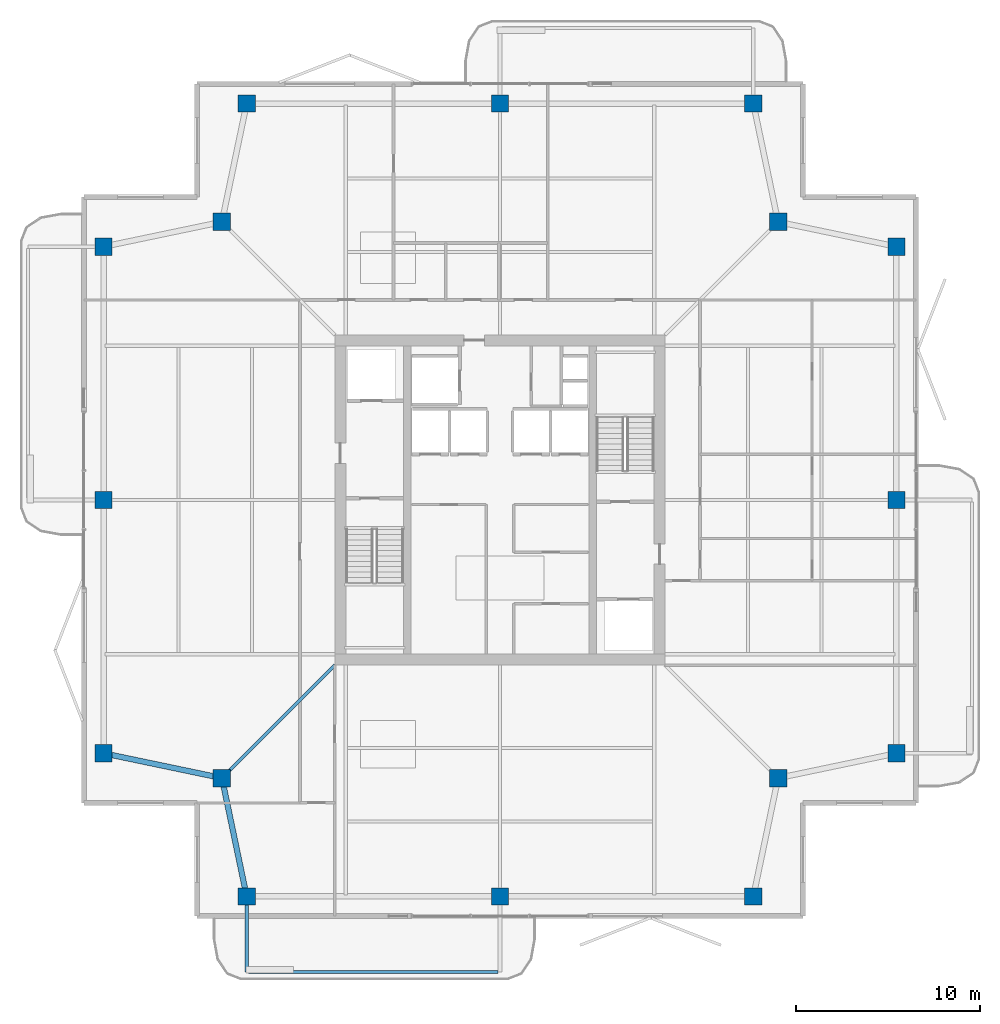
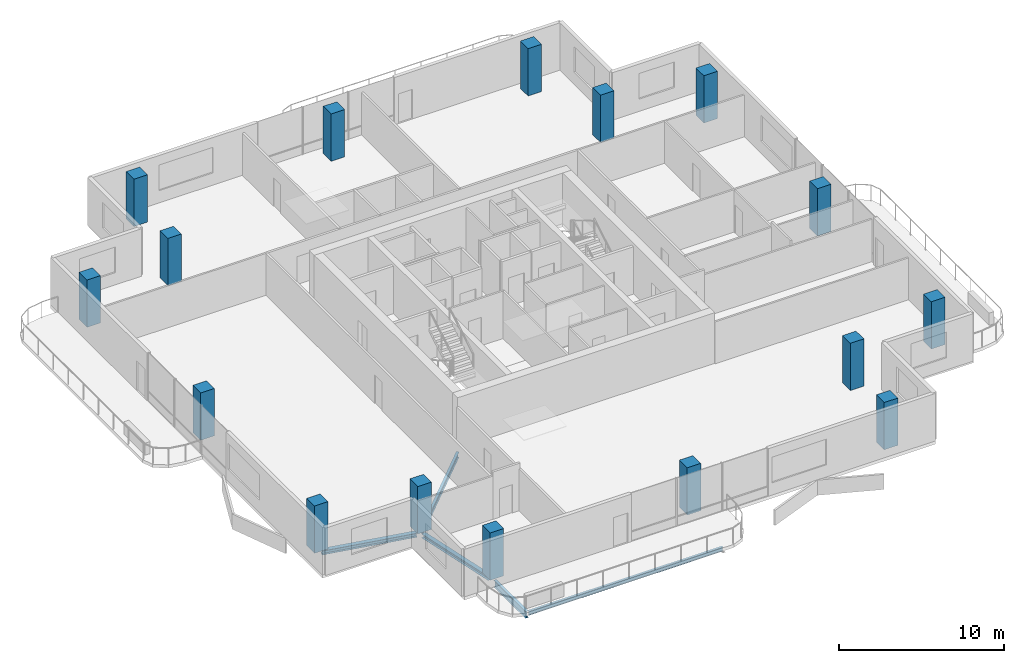
# One storey, part 1 of 17: 16 columns, 5 beams.
"""IFC4 building model written with IfcOpenShell, lengths in metres."""

from ifc_helpers import new_model, si_unit, direction, frame, origin, origin_2d, place, context, subcontext, project, spatial, rectangle, i_section, extrude, material, material_profile, profile_set, type_object, element, save


model = new_model("IFC4")

# Units and contexts
model_context = context("Model", 3, precision=1e-05, world=origin(), true_north=direction((0.0, 1.0)))
body_context = subcontext(model_context, "Body", "Model", "MODEL_VIEW")
ifc_project = project(units=[si_unit("LENGTHUNIT", "METRE"), si_unit("AREAUNIT", "SQUARE_METRE"), si_unit("VOLUMEUNIT", "CUBIC_METRE"), si_unit("PLANEANGLEUNIT", "RADIAN"), si_unit("MASSUNIT", "GRAM", prefix="KILO")], contexts=[model_context])

# Site, building, storey
site_placement = place(None, origin())
site = spatial("IfcSite", under=ifc_project, at=site_placement, CompositionType="ELEMENT")
building_placement = place(site_placement, origin())
building = spatial("IfcBuilding", under=site, at=building_placement, Name="Belovzor Exchange Tower", CompositionType="ELEMENT")
storey_placement = place(building_placement, frame((0.0, 0.0, 303.0)))
storey = spatial("IfcBuildingStorey", under=building, at=storey_placement, Name="L75", CompositionType="ELEMENT", Elevation=303.0)

# Columns
ifc_material_1 = material(Name="Concrete C50/60", Category="concrete")
ifc_material_profile_1 = material_profile(ifc_material_1, rectangle(XDim=0.949951171875, YDim=0.949951171875, at=origin_2d()))
ifc_profile_set_1 = profile_set([ifc_material_profile_1], Name="Concrete C50/60")
column_type = type_object("IfcColumnType", Name="Reinforced Concrete Tower Column 950x950", PredefinedType="COLUMN", material=ifc_profile_set_1)
for number, where, z_axis, x_axis, name in (
    (1, (15.0, 7.199951171875, 0.0029296875), (0.0, 0.0, 1.0), (1.0, 0.0, 0.0), "COL-T095 Reinforced Concrete Tower Column 950x950"),
    (2, (28.800048828125, 7.199951171875, 0.0029296875), (0.0, 0.0, 1.0), (1.0, 0.0, 0.0), "COL-T095 Reinforced Concrete Tower Column 950x950"),
    (3, (42.60009765625, 7.199951171875, 0.0029296875), (0.0, 0.0, 1.0), (1.0, 0.0, 0.0), "COL-T095 Reinforced Concrete Tower Column 950x950"),
    (4, (50.39990234375, 15.0, 0.0029296875), (0.0, 0.0, 1.0), (1.0, 0.0, 0.0), "COL-T095 Reinforced Concrete Tower Column 950x950"),
    (5, (50.39990234375, 28.800048828125, 0.0029296875), (0.0, 0.0, 1.0), (1.0, 0.0, 0.0), "COL-T095 Reinforced Concrete Tower Column 950x950"),
    (6, (50.39990234375, 42.60009765625, 0.0029296875), (0.0, 0.0, 1.0), (1.0, 0.0, 0.0), "COL-T095 Reinforced Concrete Tower Column 950x950"),
    (7, (42.60009765625, 50.39990234375, 0.0029296875), (0.0, 0.0, 1.0), (1.0, 0.0, 0.0), "COL-T095 Reinforced Concrete Tower Column 950x950"),
    (8, (28.800048828125, 50.39990234375, 0.0029296875), (0.0, 0.0, 1.0), (1.0, 0.0, 0.0), "COL-T095 Reinforced Concrete Tower Column 950x950"),
    (9, (15.0, 50.39990234375, 0.0029296875), (0.0, 0.0, 1.0), (1.0, 0.0, 0.0), "COL-T095 Reinforced Concrete Tower Column 950x950"),
    (10, (7.199951171875, 42.60009765625, 0.0029296875), (0.0, 0.0, 1.0), (1.0, 0.0, 0.0), "COL-T095 Reinforced Concrete Tower Column 950x950"),
    (11, (7.199951171875, 28.800048828125, 0.0029296875), (0.0, 0.0, 1.0), (1.0, 0.0, 0.0), "COL-T095 Reinforced Concrete Tower Column 950x950"),
    (12, (7.199951171875, 15.0, 0.0029296875), (0.0, 0.0, 1.0), (1.0, 0.0, 0.0), "COL-T095 Reinforced Concrete Tower Column 950x950"),
    (13, (13.64990234375, 13.64990234375, 0.0029296875), (0.0, 0.0, 1.0), (1.0, 0.0, 0.0), "COL-T095 Reinforced Concrete Tower Column 950x950"),
    (14, (43.949951171875, 13.64990234375, 0.0029296875), (0.0, 0.0, 1.0), (1.0, 0.0, 0.0), "COL-T095 Reinforced Concrete Tower Column 950x950"),
    (15, (43.949951171875, 43.949951171875, 0.0029296875), (0.0, 0.0, 1.0), (1.0, 0.0, 0.0), "COL-T095 Reinforced Concrete Tower Column 950x950"),
    (16, (13.64990234375, 43.949951171875, 0.0029296875), (0.0, 0.0, 1.0), (1.0, 0.0, 0.0), "COL-T095 Reinforced Concrete Tower Column 950x950"),
):
    element("IfcColumn", number, at=place(storey_placement, frame(where, z_axis=z_axis, x_axis=x_axis)), inside=storey, type_object=column_type, Name=name, PredefinedType="COLUMN", context=body_context, shape_type="SweptSolid", body=[
        extrude(rectangle(XDim=0.949951171875, YDim=0.949951171875, at=origin_2d()), origin(), (0.0, 0.0, 1.0), 3.504150390625),
    ])

# Beams
ifc_material_2 = material(Name="Steel S355", Category="steel")
ifc_material_profile_2 = material_profile(ifc_material_2, i_section(OverallWidth=0.199951171875, OverallDepth=0.5, WebThickness=0.01025390625, FlangeThickness=0.01611328125, at=origin_2d()))
ifc_profile_set_2 = profile_set([ifc_material_profile_2], Name="Steel S355")
beam_type_1 = type_object("IfcBeamType", Name="Planted Balcony Cantilever Beam IPE 500", PredefinedType="BEAM", material=ifc_profile_set_2)
beam_1_placement = place(storey_placement, frame((15.0, 6.93896484375, -0.489990234375), z_axis=(0.0, -1.0, 0.0), x_axis=(1.0, 0.0, 0.0)))
element("IfcBeam", 17, at=beam_1_placement, inside=storey, type_object=beam_type_1, Name="BC-500 Planted Balcony Cantilever Beam IPE 500", PredefinedType="BEAM", context=body_context, shape_type="SweptSolid", body=[
    extrude(i_section(OverallWidth=0.199951171875, OverallDepth=0.5, WebThickness=0.01025390625, FlangeThickness=0.01611328125, at=origin_2d()), origin(), (0.0, 0.0, 1.0), 3.849853515625),
])
ifc_material_3 = material(Name="Steel S355", Category="steel")
ifc_material_profile_3 = material_profile(ifc_material_3, i_section(OverallWidth=0.14990234375, OverallDepth=0.300048828125, WebThickness=0.007080078125, FlangeThickness=0.0107421875, at=origin_2d()))
ifc_profile_set_3 = profile_set([ifc_material_profile_3], Name="Steel S355")
beam_type_2 = type_object("IfcBeamType", Name="Planted Balcony Fascia Edge Beam IPE 300", PredefinedType="BEAM", material=ifc_profile_set_3)
beam_2_placement = place(storey_placement, frame((15.10009765625, 3.089111328125, -0.389892578125), z_axis=(1.0, 0.0, 0.0), x_axis=(0.0, 1.0, 0.0)))
element("IfcBeam", 18, at=beam_2_placement, inside=storey, type_object=beam_type_2, Name="BC-300 Planted Balcony Fascia Edge Beam IPE 300", PredefinedType="BEAM", context=body_context, shape_type="SweptSolid", body=[
    extrude(i_section(OverallWidth=0.14990234375, OverallDepth=0.300048828125, WebThickness=0.007080078125, FlangeThickness=0.0107421875, at=origin_2d()), origin(), (0.0, 0.0, 1.0), 13.599853515625),
])
ifc_material_4 = material(Name="Steel S355", Category="steel")
ifc_material_profile_4 = material_profile(ifc_material_4, i_section(OverallWidth=0.179931640625, OverallDepth=0.39990234375, WebThickness=0.008544921875, FlangeThickness=0.013427734375, at=origin_2d()))
ifc_profile_set_4 = profile_set([ifc_material_profile_4], Name="Steel S355")
beam_type_3 = type_object("IfcBeamType", Name="Zone 5-6 Radial Composite Floor Beam IPE 400", PredefinedType="BEAM", material=ifc_profile_set_4)
beam_3_placement = place(storey_placement, frame((19.800048828125, 19.800048828125, -0.43994140625), z_axis=(-0.707106781187, -0.707106781187, 0.0), x_axis=(0.707106781187, -0.707106781187, 0.0)))
element("IfcBeam", 19, at=beam_3_placement, inside=storey, type_object=beam_type_3, Name="FB-400 Zone 5-6 Radial Composite Floor Beam IPE 400", PredefinedType="BEAM", context=body_context, shape_type="SweptSolid", body=[
    extrude(i_section(OverallWidth=0.179931640625, OverallDepth=0.39990234375, WebThickness=0.008544921875, FlangeThickness=0.013427734375, at=origin_2d()), origin(), (0.0, 0.0, 1.0), 8.361083984375),
])
ifc_material_5 = material(Name="Steel S355", Category="steel")
ifc_material_profile_5 = material_profile(ifc_material_5, i_section(OverallWidth=0.300048828125, OverallDepth=0.300048828125, WebThickness=0.008544921875, FlangeThickness=0.013916015625, at=origin_2d()))
ifc_profile_set_5 = profile_set([ifc_material_profile_5], Name="Steel S355")
beam_type_4 = type_object("IfcBeamType", Name="Zone 6 Primary Girder HEA 300", PredefinedType="BEAM", material=ifc_profile_set_5)
for number, where, z_axis, x_axis, name in (
    (20, (13.7041015625, 13.39404296875, -0.389892578125), (0.204722380619, -0.978820078908, 0.0), (0.978820078908, 0.204722380619, 0.0), "FG-Z6 Zone 6 Primary Girder HEA 300"),
    (21, (7.4560546875, 14.946044921875, -0.389892578125), (0.978820078908, -0.204722380619, 0.0), (0.204722380619, 0.978820078908, 0.0), "FG-Z6 Zone 6 Primary Girder HEA 300"),
):
    element("IfcBeam", number, at=place(storey_placement, frame(where, z_axis=z_axis, x_axis=x_axis)), inside=storey, type_object=beam_type_4, Name=name, PredefinedType="BEAM", context=body_context, shape_type="SweptSolid", body=[
        extrude(i_section(OverallWidth=0.300048828125, OverallDepth=0.300048828125, WebThickness=0.008544921875, FlangeThickness=0.013916015625, at=origin_2d()), origin(), (0.0, 0.0, 1.0), 6.06640625),
    ])

save(model, "model.ifc")
